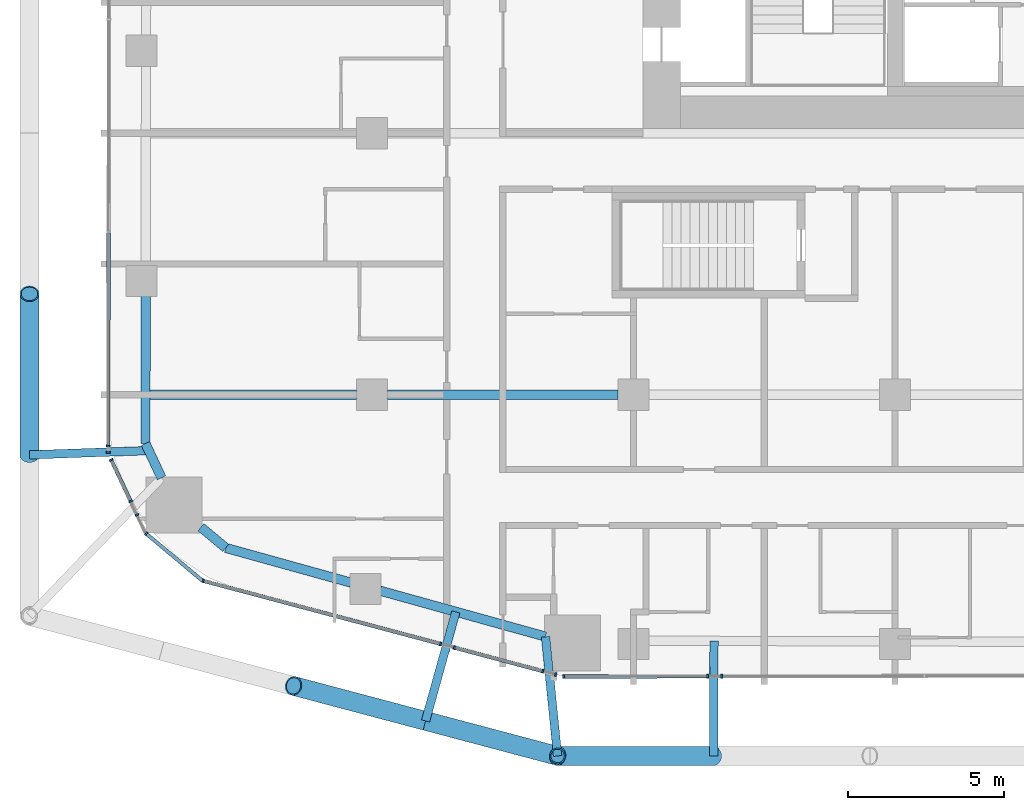
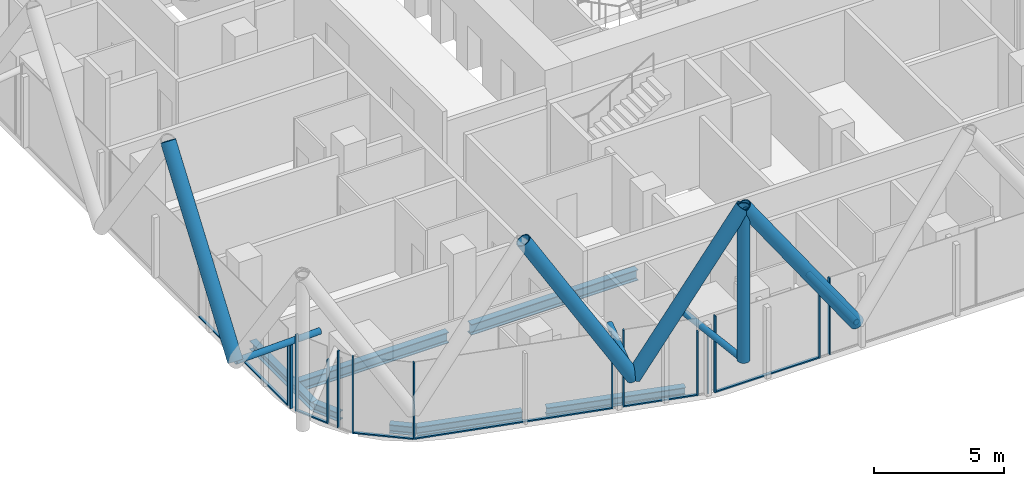
# One storey, part 2 of 38: 29 members, 7 beams, 13 elements without a shape of their own.
"""IFC4 building model written with IfcOpenShell, lengths in metres."""

from ifc_helpers import new_model, si_unit, direction, frame, origin, origin_2d, place, context, subcontext, project, spatial, rectangle, hollow_circle, i_section, extrude, material, layer, layer_set, material_profile, profile_set, type_object, element, aggregate, save


model = new_model("IFC4")

# Units and contexts
model_context = context("Model", 3, precision=1e-05, world=origin(), true_north=direction((0.0, 1.0)))
body_context = subcontext(model_context, "Body", "Model", "MODEL_VIEW")
ifc_project = project(units=[si_unit("LENGTHUNIT", "METRE"), si_unit("AREAUNIT", "SQUARE_METRE"), si_unit("VOLUMEUNIT", "CUBIC_METRE"), si_unit("PLANEANGLEUNIT", "RADIAN"), si_unit("MASSUNIT", "GRAM", prefix="KILO")], contexts=[model_context])

# Site, building, storey
site_placement = place(None, origin())
site = spatial("IfcSite", under=ifc_project, at=site_placement, CompositionType="ELEMENT")
building_placement = place(site_placement, origin())
building = spatial("IfcBuilding", under=site, at=building_placement, Name="Marenta Gate Hotel Tower", CompositionType="ELEMENT")
storey_placement = place(building_placement, frame((0.0, 0.0, 54.5)))
storey = spatial("IfcBuildingStorey", under=building, at=storey_placement, Name="L11", CompositionType="ELEMENT", Elevation=54.5)

# Members
ifc_material_1 = material(Name="Steel S355J2W", Category="steel")
ifc_material_profile_1 = material_profile(ifc_material_1, hollow_circle(Radius=0.25390625, WallThickness=0.0400390625, at=origin_2d()), Name="CHS 508x40")
ifc_profile_set_1 = profile_set([ifc_material_profile_1], Name="Steel S355J2W")
member_type_1 = type_object("IfcMemberType", Name="Diagrid corner post Z1 CHS 508x40", PredefinedType="POST", material=ifc_profile_set_1)
member_1_placement = place(storey_placement, frame((-15.0390625, -20.0, 3.139892578125), z_axis=(0.0, 0.0, 1.0), x_axis=(1.0, 0.0, 0.0)))
element("IfcMember", 1, at=member_1_placement, inside=storey, type_object=member_type_1, Name="L11-DR-4", PredefinedType="POST", context=body_context, shape_type="SweptSolid", body=[
    extrude(hollow_circle(Radius=0.25390625, WallThickness=0.0400390625, at=origin_2d()), origin(), (0.0, 0.0, 1.0), 7.2001953125),
])
ifc_material_2 = material(Name="Steel S355J2W", Category="steel")
ifc_material_profile_2 = material_profile(ifc_material_2, hollow_circle(Radius=0.304931640625, WallThickness=0.0400390625, at=origin_2d()), Name="CHS 610x40")
ifc_profile_set_2 = profile_set([ifc_material_profile_2], Name="Steel S355J2W")
member_type_2 = type_object("IfcMemberType", Name="Diagrid diagonal Z1 CHS 610x40", PredefinedType="BRACE", material=ifc_profile_set_2)
member_2_placement = place(storey_placement, frame((-10.02587890625, -20.0, 3.139892578125), z_axis=(-0.57139871881, 0.0, 0.820672592537), x_axis=(0.0, -1.0, 0.0)))
element("IfcMember", 2, at=member_2_placement, inside=storey, type_object=member_type_2, Name="L11-DG-20", PredefinedType="BRACE", context=body_context, shape_type="SweptSolid", body=[
    extrude(hollow_circle(Radius=0.304931640625, WallThickness=0.0400390625, at=origin_2d()), origin(), (0.0, 0.0, 1.0), 8.7734375),
])
for number, where, z_axis, x_axis, name in (
    (3, (-19.279296875, -18.875, 3.139892578125), (0.50291158245, -0.13343024942, 0.853976761263), (0.256443187528, 0.96655930577, 0.0), "L11-DG-21"),
    (4, (-19.279296875, -18.875, 3.139892578125), (-0.50291158245, 0.13343024942, 0.853976761263), (-0.256443187528, -0.96655930577, 0.0), "L11-DG-22"),
):
    element("IfcMember", number, at=place(storey_placement, frame(where, z_axis=z_axis, x_axis=x_axis)), inside=storey, type_object=member_type_2, Name=name, PredefinedType="BRACE", context=body_context, shape_type="SweptSolid", body=[
        extrude(hollow_circle(Radius=0.304931640625, WallThickness=0.0400390625, at=origin_2d()), origin(), (0.0, 0.0, 1.0), 8.431396484375),
    ])
member_3_placement = place(storey_placement, frame((-32.0, -10.330078125, 3.139892578125), z_axis=(0.0, 0.583247791947, 0.812294289767), x_axis=(-1.0, 0.0, 0.0)))
element("IfcMember", 5, at=member_3_placement, inside=storey, type_object=member_type_2, Name="L11-DG-26", PredefinedType="BRACE", context=body_context, shape_type="SweptSolid", body=[
    extrude(hollow_circle(Radius=0.304931640625, WallThickness=0.0400390625, at=origin_2d()), origin(), (0.0, 0.0, 1.0), 8.864013671875),
])

# Beams
ifc_material_3 = material(Name="Steel S355", Category="steel")
ifc_material_profile_3 = material_profile(ifc_material_3, i_section(OverallWidth=0.300048828125, OverallDepth=0.39990234375, WebThickness=0.013427734375, FlangeThickness=0.02392578125, FilletRadius=0.027099609375, at=origin_2d()), Name="HEB 400")
ifc_profile_set_3 = profile_set([ifc_material_profile_3], Name="Steel S355")
beam_type_1 = type_object("IfcBeamType", Name="Edge beam HEB 400", PredefinedType="SPANDREL", material=ifc_profile_set_3)
beam_1_placement = place(storey_placement, frame((-15.427734375, -16.166748046875, -0.4599609375), z_axis=(-0.963623684238, 0.267262782998, 0.0), x_axis=(-0.267262782998, -0.963623684238, 0.0)))
element("IfcBeam", 6, at=beam_1_placement, inside=storey, type_object=beam_type_1, Name="L11-EB-1", PredefinedType="SPANDREL", context=body_context, shape_type="SweptSolid", body=[
    extrude(i_section(OverallWidth=0.300048828125, OverallDepth=0.39990234375, WebThickness=0.013427734375, FlangeThickness=0.02392578125, FilletRadius=0.027099609375, at=origin_2d()), origin(), (0.0, 0.0, 1.0), 5.518310546875),
])
beam_2_placement = place(storey_placement, frame((-21.668212890625, -14.43603515625, -0.4599609375), z_axis=(-0.963617403201, 0.267285428426, 0.0), x_axis=(-0.267285428426, -0.963617403201, 0.0)))
element("IfcBeam", 7, at=beam_2_placement, inside=storey, type_object=beam_type_1, Name="L11-EB-2", PredefinedType="SPANDREL", context=body_context, shape_type="SweptSolid", body=[
    extrude(i_section(OverallWidth=0.300048828125, OverallDepth=0.39990234375, WebThickness=0.013427734375, FlangeThickness=0.02392578125, FilletRadius=0.027099609375, at=origin_2d()), origin(), (0.0, 0.0, 1.0), 4.1806640625),
])
beam_3_placement = place(storey_placement, frame((-25.69677734375, -13.318603515625, -0.4599609375), z_axis=(-0.767179911534, 0.641431978731, 0.0), x_axis=(-0.641431978731, -0.767179911534, 0.0)))
element("IfcBeam", 8, at=beam_3_placement, inside=storey, type_object=beam_type_1, Name="L11-EB-3", PredefinedType="SPANDREL", context=body_context, shape_type="SweptSolid", body=[
    extrude(i_section(OverallWidth=0.300048828125, OverallDepth=0.39990234375, WebThickness=0.013427734375, FlangeThickness=0.02392578125, FilletRadius=0.027099609375, at=origin_2d()), origin(), (0.0, 0.0, 1.0), 1.038818359375),
])
beam_4_placement = place(storey_placement, frame((-27.76025390625, -11.0693359375, -0.4599609375), z_axis=(-0.423291965192, 0.905993329006, 0.0), x_axis=(-0.905993329006, -0.423291965192, 0.0)))
element("IfcBeam", 9, at=beam_4_placement, inside=storey, type_object=beam_type_1, Name="L11-EB-4", PredefinedType="SPANDREL", context=body_context, shape_type="SweptSolid", body=[
    extrude(i_section(OverallWidth=0.300048828125, OverallDepth=0.39990234375, WebThickness=0.013427734375, FlangeThickness=0.02392578125, FilletRadius=0.027099609375, at=origin_2d()), origin(), (0.0, 0.0, 1.0), 1.21630859375),
])
beam_5_placement = place(storey_placement, frame((-28.275146484375, -9.96728515625, -0.4599609375), z_axis=(0.001386177947, 0.999999039255, 0.0), x_axis=(-0.999999039255, 0.001386177947, 0.0)))
element("IfcBeam", 10, at=beam_5_placement, inside=storey, type_object=beam_type_1, Name="L11-EB-5", PredefinedType="SPANDREL", context=body_context, shape_type="SweptSolid", body=[
    extrude(i_section(OverallWidth=0.300048828125, OverallDepth=0.39990234375, WebThickness=0.013427734375, FlangeThickness=0.02392578125, FilletRadius=0.027099609375, at=origin_2d()), origin(), (0.0, 0.0, 1.0), 4.75537109375),
])

# Members
ifc_material_4 = material(Name="Steel S355J2W", Category="steel")
ifc_material_profile_4 = material_profile(ifc_material_4, hollow_circle(Radius=0.136474609375, WallThickness=0.012451171875, at=origin_2d()), Name="CHS 273x12.5")
ifc_profile_set_4 = profile_set([ifc_material_profile_4], Name="Steel S355J2W")
member_type_3 = type_object("IfcMemberType", Name="Floor tie CHS 273x12.5", PredefinedType="STRUT", material=ifc_profile_set_4)
member_4_placement = place(storey_placement, frame((-10.02587890625, -20.0, 3.139892578125), z_axis=(0.00271396366, 0.999996317194, 0.0), x_axis=(-0.999996317194, 0.00271396366, 0.0)))
element("IfcMember", 11, at=member_4_placement, inside=storey, type_object=member_type_3, Name="L11-DR-15", PredefinedType="STRUT", context=body_context, shape_type="SweptSolid", body=[
    extrude(hollow_circle(Radius=0.136474609375, WallThickness=0.012451171875, at=origin_2d()), origin(), (0.0, 0.0, 1.0), 3.688232421875),
])
member_5_placement = place(storey_placement, frame((-15.0390625, -20.0, 3.139892578125), z_axis=(-0.100880214529, 0.99489857891, 0.0), x_axis=(-0.99489857891, -0.100880214529, 0.0)))
element("IfcMember", 12, at=member_5_placement, inside=storey, type_object=member_type_3, Name="L11-DR-16", PredefinedType="STRUT", context=body_context, shape_type="SweptSolid", body=[
    extrude(hollow_circle(Radius=0.136474609375, WallThickness=0.012451171875, at=origin_2d()), origin(), (0.0, 0.0, 1.0), 3.845458984375),
])
member_6_placement = place(storey_placement, frame((-19.279296875, -18.875, 3.139892578125), z_axis=(0.267255561647, 0.963625687064, 0.0), x_axis=(-0.963625687064, 0.267255561647, 0.0)))
element("IfcMember", 13, at=member_6_placement, inside=storey, type_object=member_type_3, Name="L11-DR-17", PredefinedType="STRUT", context=body_context, shape_type="SweptSolid", body=[
    extrude(hollow_circle(Radius=0.136474609375, WallThickness=0.012451171875, at=origin_2d()), origin(), (0.0, 0.0, 1.0), 3.632080078125),
])
member_7_placement = place(storey_placement, frame((-32.0, -10.330078125, 3.139892578125), z_axis=(0.999365858517, 0.035607314287, 0.0), x_axis=(-0.035607314287, 0.999365858517, 0.0)))
element("IfcMember", 14, at=member_7_placement, inside=storey, type_object=member_type_3, Name="L11-DR-19", PredefinedType="STRUT", context=body_context, shape_type="SweptSolid", body=[
    extrude(hollow_circle(Radius=0.136474609375, WallThickness=0.012451171875, at=origin_2d()), origin(), (0.0, 0.0, 1.0), 3.825927734375),
])

# Beams
ifc_material_5 = material(Name="Steel S355", Category="steel")
ifc_material_profile_5 = material_profile(ifc_material_5, i_section(OverallWidth=0.300048828125, OverallDepth=0.5, WebThickness=0.014404296875, FlangeThickness=0.028076171875, FilletRadius=0.027099609375, at=origin_2d()), Name="HEB 500")
ifc_profile_set_5 = profile_set([ifc_material_profile_5], Name="Steel S355")
beam_type_2 = type_object("IfcBeamType", Name="Girder HEB 500", PredefinedType="BEAM", material=ifc_profile_set_5)
beam_6_placement = place(storey_placement, frame((-28.123046875, -8.39990234375, -0.510009765625), z_axis=(1.0, 0.0, 0.0), x_axis=(0.0, 1.0, 0.0)))
element("IfcBeam", 15, at=beam_6_placement, inside=storey, type_object=beam_type_2, Name="L11-GD-1", PredefinedType="BEAM", context=body_context, shape_type="SweptSolid", body=[
    extrude(i_section(OverallWidth=0.300048828125, OverallDepth=0.5, WebThickness=0.014404296875, FlangeThickness=0.028076171875, FilletRadius=0.027099609375, at=origin_2d()), origin(), (0.0, 0.0, 1.0), 6.623046875),
])
beam_7_placement = place(storey_placement, frame((-20.5, -8.39990234375, -0.510009765625), z_axis=(1.0, 0.0, 0.0), x_axis=(0.0, 1.0, 0.0)))
element("IfcBeam", 16, at=beam_7_placement, inside=storey, type_object=beam_type_2, Name="L11-GD-2", PredefinedType="BEAM", context=body_context, shape_type="SweptSolid", body=[
    extrude(i_section(OverallWidth=0.300048828125, OverallDepth=0.5, WebThickness=0.014404296875, FlangeThickness=0.028076171875, FilletRadius=0.027099609375, at=origin_2d()), origin(), (0.0, 0.0, 1.0), 7.39990234375),
])

# Curtain wall, members
ifc_material_6 = material(Name="Tinted insulated glass in bronze anodised frame", Category="glass")
ifc_layer = layer(ifc_material_6, 0.1201171875)
ifc_layer_set = layer_set([ifc_layer], Name="Tinted insulated glass in bronze anodised frame")
curtain_wall_type = type_object("IfcCurtainWallType", Name="Tower unitised curtain wall CW1", PredefinedType="NOTDEFINED", material=ifc_layer_set)
curtain_wall_1_placement = place(storey_placement, origin())
curtain_wall_1 = element("IfcCurtainWall", 17, at=curtain_wall_1_placement, inside=storey, type_object=curtain_wall_type, Name="CW1 run G09", PredefinedType="NOTDEFINED")
ifc_material_7 = material(Name="Bronze anodised aluminium", Category="aluminium")
ifc_material_profile_6 = material_profile(ifc_material_7, rectangle(XDim=0.1201171875, YDim=0.06005859375, at=origin_2d()), Name="Mullion CW1 60x120 bronze anodised aluminium")
ifc_profile_set_6 = profile_set([ifc_material_profile_6], Name="Bronze anodised aluminium")
member_type_4 = type_object("IfcMemberType", Name="Mullion CW1 60x120 bronze anodised aluminium", PredefinedType="MULLION", material=ifc_profile_set_6)
member_8_placement = place(storey_placement, frame((-29.472900390625, -10.04345703125, 0.0), z_axis=(0.0, 0.0, 1.0), x_axis=(0.999998839888, -0.001523227487, 0.0)))
member_8 = element("IfcMember", 18, at=member_8_placement, type_object=member_type_4, Name="CW1 mullion 1", PredefinedType="MULLION", context=body_context, shape_type="SweptSolid", body=[
    extrude(rectangle(XDim=0.1201171875, YDim=0.06005859375, at=origin_2d()), origin(), (0.0, 0.0, 1.0), 3.00048828125),
])
member_9_placement = place(storey_placement, frame((-29.47314453125, -10.24609375, 0.0), z_axis=(0.0, 0.0, 1.0), x_axis=(0.999998839888, -0.001523227487, 0.0)))
member_9 = element("IfcMember", 19, at=member_9_placement, type_object=member_type_4, Name="CW1 mullion 2", PredefinedType="MULLION", context=body_context, shape_type="SweptSolid", body=[
    extrude(rectangle(XDim=0.1201171875, YDim=0.06005859375, at=origin_2d()), origin(), (0.0, 0.0, 1.0), 3.00048828125),
])
aggregate(curtain_wall_1, [member_8, member_9])

# Curtain wall, member
curtain_wall_2_placement = place(storey_placement, origin())
curtain_wall_2 = element("IfcCurtainWall", 20, at=curtain_wall_2_placement, inside=storey, type_object=curtain_wall_type, Name="CW1 run G10", PredefinedType="NOTDEFINED")
member_10_placement = place(storey_placement, frame((-29.373046875, -10.49072265625, 0.0), z_axis=(0.0, 0.0, 1.0), x_axis=(0.905954731156, 0.423374568314, 0.0)))
member_10 = element("IfcMember", 21, at=member_10_placement, type_object=member_type_4, Name="CW1 mullion 1", PredefinedType="MULLION", context=body_context, shape_type="SweptSolid", body=[
    extrude(rectangle(XDim=0.1201171875, YDim=0.06005859375, at=origin_2d()), origin(), (0.0, 0.0, 1.0), 3.60009765625),
])

curtain_wall_3_placement = place(storey_placement, origin())
curtain_wall_3 = element("IfcCurtainWall", 22, at=curtain_wall_3_placement, inside=storey, type_object=curtain_wall_type, Name="CW1 run G11", PredefinedType="NOTDEFINED")
member_11_placement = place(storey_placement, frame((-28.752197265625, -11.819091796875, 0.0), z_axis=(0.0, 0.0, 1.0), x_axis=(0.906004324729, 0.423268429691, 0.0)))
member_11 = element("IfcMember", 23, at=member_11_placement, type_object=member_type_4, Name="CW1 mullion 1", PredefinedType="MULLION", context=body_context, shape_type="SweptSolid", body=[
    extrude(rectangle(XDim=0.1201171875, YDim=0.06005859375, at=origin_2d()), origin(), (0.0, 0.0, 1.0), 3.00048828125),
])
aggregate(curtain_wall_3, [member_11])

curtain_wall_4_placement = place(storey_placement, origin())
curtain_wall_4 = element("IfcCurtainWall", 24, at=curtain_wall_4_placement, inside=storey, type_object=curtain_wall_type, Name="CW1 run G12", PredefinedType="NOTDEFINED")
member_12_placement = place(storey_placement, frame((-28.546630859375, -12.25927734375, 0.0), z_axis=(0.0, 0.0, 1.0), x_axis=(0.905943804319, 0.423397949235, 0.0)))
member_12 = element("IfcMember", 25, at=member_12_placement, type_object=member_type_4, Name="CW1 mullion 1", PredefinedType="MULLION", context=body_context, shape_type="SweptSolid", body=[
    extrude(rectangle(XDim=0.1201171875, YDim=0.06005859375, at=origin_2d()), origin(), (0.0, 0.0, 1.0), 3.60009765625),
])
aggregate(curtain_wall_4, [member_12])

curtain_wall_5_placement = place(storey_placement, origin())
curtain_wall_5 = element("IfcCurtainWall", 26, at=curtain_wall_5_placement, inside=storey, type_object=curtain_wall_type, Name="CW1 run G13", PredefinedType="NOTDEFINED")
member_13_placement = place(storey_placement, frame((-28.25146484375, -12.86083984375, 0.0), z_axis=(0.0, 0.0, 1.0), x_axis=(0.641511984407, 0.767113012445, 0.0)))
member_13 = element("IfcMember", 27, at=member_13_placement, type_object=member_type_4, Name="CW1 mullion 1", PredefinedType="MULLION", context=body_context, shape_type="SweptSolid", body=[
    extrude(rectangle(XDim=0.1201171875, YDim=0.06005859375, at=origin_2d()), origin(), (0.0, 0.0, 1.0), 3.60009765625),
])

curtain_wall_6_placement = place(storey_placement, origin())
curtain_wall_6 = element("IfcCurtainWall", 28, at=curtain_wall_6_placement, inside=storey, type_object=curtain_wall_type, Name="CW1 run G14", PredefinedType="NOTDEFINED")
member_14_placement = place(storey_placement, frame((-26.42236328125, -14.3740234375, 0.0), z_axis=(0.0, 0.0, 1.0), x_axis=(0.257144343682, 0.96637300589, 0.0)))
member_14 = element("IfcMember", 29, at=member_14_placement, type_object=member_type_4, Name="CW1 mullion 1", PredefinedType="MULLION", context=body_context, shape_type="SweptSolid", body=[
    extrude(rectangle(XDim=0.1201171875, YDim=0.06005859375, at=origin_2d()), origin(), (0.0, 0.0, 1.0), 3.60009765625),
])

curtain_wall_7_placement = place(storey_placement, origin())
curtain_wall_7 = element("IfcCurtainWall", 30, at=curtain_wall_7_placement, inside=storey, type_object=curtain_wall_type, Name="CW1 run G15", PredefinedType="NOTDEFINED")
member_15_placement = place(storey_placement, frame((-18.797607421875, -16.40283203125, 0.0), z_axis=(0.0, 0.0, 1.0), x_axis=(0.257154287199, 0.966370359942, 0.0)))
member_15 = element("IfcMember", 31, at=member_15_placement, type_object=member_type_4, Name="CW1 mullion 1", PredefinedType="MULLION", context=body_context, shape_type="SweptSolid", body=[
    extrude(rectangle(XDim=0.1201171875, YDim=0.06005859375, at=origin_2d()), origin(), (0.0, 0.0, 1.0), 3.00048828125),
])
aggregate(curtain_wall_7, [member_15])

curtain_wall_8_placement = place(storey_placement, origin())
curtain_wall_8 = element("IfcCurtainWall", 32, at=curtain_wall_8_placement, inside=storey, type_object=curtain_wall_type, Name="CW1 run G16", PredefinedType="NOTDEFINED")
member_16_placement = place(storey_placement, frame((-18.359619140625, -16.51953125, 0.0), z_axis=(0.0, 0.0, 1.0), x_axis=(0.257134071867, 0.966375739081, 0.0)))
member_16 = element("IfcMember", 33, at=member_16_placement, type_object=member_type_4, Name="CW1 mullion 1", PredefinedType="MULLION", context=body_context, shape_type="SweptSolid", body=[
    extrude(rectangle(XDim=0.1201171875, YDim=0.06005859375, at=origin_2d()), origin(), (0.0, 0.0, 1.0), 3.60009765625),
])

# Curtain wall, members
curtain_wall_9_placement = place(storey_placement, origin())
curtain_wall_9 = element("IfcCurtainWall", 34, at=curtain_wall_9_placement, inside=storey, type_object=curtain_wall_type, Name="CW1 run G17", PredefinedType="NOTDEFINED")
member_17_placement = place(storey_placement, frame((-15.5146484375, -17.2763671875, 0.0), z_axis=(0.0, 0.0, 1.0), x_axis=(0.257084251591, 0.966388993927, 0.0)))
member_17 = element("IfcMember", 35, at=member_17_placement, type_object=member_type_4, Name="CW1 mullion 1", PredefinedType="MULLION", context=body_context, shape_type="SweptSolid", body=[
    extrude(rectangle(XDim=0.1201171875, YDim=0.06005859375, at=origin_2d()), origin(), (0.0, 0.0, 1.0), 3.00048828125),
])
member_18_placement = place(storey_placement, frame((-15.104736328125, -17.385498046875, 0.0), z_axis=(0.0, 0.0, 1.0), x_axis=(0.257084251591, 0.966388993927, 0.0)))
member_18 = element("IfcMember", 36, at=member_18_placement, type_object=member_type_4, Name="CW1 mullion 2", PredefinedType="MULLION", context=body_context, shape_type="SweptSolid", body=[
    extrude(rectangle(XDim=0.1201171875, YDim=0.06005859375, at=origin_2d()), origin(), (0.0, 0.0, 1.0), 3.00048828125),
])
aggregate(curtain_wall_9, [member_17, member_18])

# Curtain wall, member
curtain_wall_10_placement = place(storey_placement, origin())
curtain_wall_10 = element("IfcCurtainWall", 37, at=curtain_wall_10_placement, inside=storey, type_object=curtain_wall_type, Name="CW1 run G18", PredefinedType="NOTDEFINED")
member_19_placement = place(storey_placement, frame((-14.840576171875, -17.44775390625, 0.0), z_axis=(0.0, 0.0, 1.0), x_axis=(-0.001167541525, 0.999999318423, 0.0)))
member_19 = element("IfcMember", 38, at=member_19_placement, type_object=member_type_4, Name="CW1 mullion 1", PredefinedType="MULLION", context=body_context, shape_type="SweptSolid", body=[
    extrude(rectangle(XDim=0.1201171875, YDim=0.06005859375, at=origin_2d()), origin(), (0.0, 0.0, 1.0), 3.60009765625),
])

curtain_wall_11_placement = place(storey_placement, origin())
curtain_wall_11 = element("IfcCurtainWall", 39, at=curtain_wall_11_placement, inside=storey, type_object=curtain_wall_type, Name="CW1 run G19", PredefinedType="NOTDEFINED")
member_20_placement = place(storey_placement, frame((-10.215576171875, -17.4423828125, 0.0), z_axis=(0.0, 0.0, 1.0), x_axis=(-0.001103752086, 0.999999390865, 0.0)))
member_20 = element("IfcMember", 40, at=member_20_placement, type_object=member_type_4, Name="CW1 mullion 1", PredefinedType="MULLION", context=body_context, shape_type="SweptSolid", body=[
    extrude(rectangle(XDim=0.1201171875, YDim=0.06005859375, at=origin_2d()), origin(), (0.0, 0.0, 1.0), 3.00048828125),
])
aggregate(curtain_wall_11, [member_20])

curtain_wall_12_placement = place(storey_placement, origin())
curtain_wall_12 = element("IfcCurtainWall", 41, at=curtain_wall_12_placement, inside=storey, type_object=curtain_wall_type, Name="CW1 run G20", PredefinedType="NOTDEFINED")
member_21_placement = place(storey_placement, frame((-9.762451171875, -17.44189453125, 0.0), z_axis=(0.0, 0.0, 1.0), x_axis=(-0.001163317936, 0.999999323345, 0.0)))
member_21 = element("IfcMember", 42, at=member_21_placement, type_object=member_type_4, Name="CW1 mullion 1", PredefinedType="MULLION", context=body_context, shape_type="SweptSolid", body=[
    extrude(rectangle(XDim=0.1201171875, YDim=0.06005859375, at=origin_2d()), origin(), (0.0, 0.0, 1.0), 3.60009765625),
])
aggregate(curtain_wall_12, [member_21])

curtain_wall_13_placement = place(storey_placement, origin())
curtain_wall_13 = element("IfcCurtainWall", 43, at=curtain_wall_13_placement, inside=storey, type_object=curtain_wall_type, Name="CW1 run G08", PredefinedType="NOTDEFINED")
ifc_material_8 = material(Name="Bronze anodised aluminium", Category="aluminium")
ifc_material_profile_7 = material_profile(ifc_material_8, rectangle(XDim=0.1201171875, YDim=0.06005859375, at=origin_2d()), Name="Transom CW1 60x120 bronze anodised aluminium")
ifc_profile_set_7 = profile_set([ifc_material_profile_7], Name="Bronze anodised aluminium")
member_type_5 = type_object("IfcMemberType", Name="Transom CW1 60x120 bronze anodised aluminium", PredefinedType="USERDEFINED", material=ifc_profile_set_7)
member_22_placement = place(storey_placement, frame((-29.462158203125, -3.20458984375, 0.030029296875), z_axis=(-0.001577680994, -0.999998755461, 0.0), x_axis=(0.999998755461, -0.001577680994, 0.0)))
member_22 = element("IfcMember", 44, at=member_22_placement, type_object=member_type_5, Name="CW1 transom 3.1", ObjectType="TRANSOM", PredefinedType="USERDEFINED", context=body_context, shape_type="SweptSolid", body=[
    extrude(rectangle(XDim=0.1201171875, YDim=0.06005859375, at=origin_2d()), origin(), (0.0, 0.0, 1.0), 6.808837890625),
])
aggregate(curtain_wall_13, [member_22])

# Member
member_23_placement = place(storey_placement, frame((-29.3603515625, -10.51806640625, 0.030029296875), z_axis=(0.423512756484, -0.905890139639, 0.0), x_axis=(0.905890139639, 0.423512756484, 0.0)))
member_23 = element("IfcMember", 45, at=member_23_placement, type_object=member_type_5, Name="CW1 transom 1.1", ObjectType="TRANSOM", PredefinedType="USERDEFINED", context=body_context, shape_type="SweptSolid", body=[
    extrude(rectangle(XDim=0.1201171875, YDim=0.06005859375, at=origin_2d()), origin(), (0.0, 0.0, 1.0), 1.406005859375),
])

aggregate(curtain_wall_2, [member_10, member_23])

member_24_placement = place(storey_placement, frame((-28.228271484375, -12.880126953125, 0.030029296875), z_axis=(0.767079699321, -0.641551817775, 0.0), x_axis=(0.641551817775, 0.767079699321, 0.0)))
member_24 = element("IfcMember", 46, at=member_24_placement, type_object=member_type_5, Name="CW1 transom 1.1", ObjectType="TRANSOM", PredefinedType="USERDEFINED", context=body_context, shape_type="SweptSolid", body=[
    extrude(rectangle(XDim=0.1201171875, YDim=0.06005859375, at=origin_2d()), origin(), (0.0, 0.0, 1.0), 2.31640625),
])

aggregate(curtain_wall_5, [member_13, member_24])

member_25_placement = place(storey_placement, frame((-26.393310546875, -14.3818359375, 0.030029296875), z_axis=(0.966375039194, -0.257136702208, 0.0), x_axis=(0.257136702208, 0.966375039194, 0.0)))
member_25 = element("IfcMember", 47, at=member_25_placement, type_object=member_type_5, Name="CW1 transom 1.1", ObjectType="TRANSOM", PredefinedType="USERDEFINED", context=body_context, shape_type="SweptSolid", body=[
    extrude(rectangle(XDim=0.1201171875, YDim=0.06005859375, at=origin_2d()), origin(), (0.0, 0.0, 1.0), 7.830078125),
])

aggregate(curtain_wall_6, [member_14, member_25])

member_26_placement = place(storey_placement, frame((-18.330810546875, -16.527099609375, 0.030029296875), z_axis=(0.966366881065, -0.257167360255, 0.0), x_axis=(0.257167360255, 0.966366881065, 0.0)))
member_26 = element("IfcMember", 48, at=member_26_placement, type_object=member_type_5, Name="CW1 transom 1.1", ObjectType="TRANSOM", PredefinedType="USERDEFINED", context=body_context, shape_type="SweptSolid", body=[
    extrude(rectangle(XDim=0.1201171875, YDim=0.06005859375, at=origin_2d()), origin(), (0.0, 0.0, 1.0), 2.884033203125),
])

aggregate(curtain_wall_8, [member_16, member_26])

member_27_placement = place(storey_placement, frame((-14.810546875, -17.44775390625, 0.030029296875), z_axis=(0.999999307811, 0.001176595613, 0.0), x_axis=(-0.001176595613, 0.999999307811, 0.0)))
member_27 = element("IfcMember", 49, at=member_27_placement, type_object=member_type_5, Name="CW1 transom 1.1", ObjectType="TRANSOM", PredefinedType="USERDEFINED", context=body_context, shape_type="SweptSolid", body=[
    extrude(rectangle(XDim=0.1201171875, YDim=0.06005859375, at=origin_2d()), origin(), (0.0, 0.0, 1.0), 4.56494140625),
])

aggregate(curtain_wall_10, [member_19, member_27])

save(model, "model.ifc")
